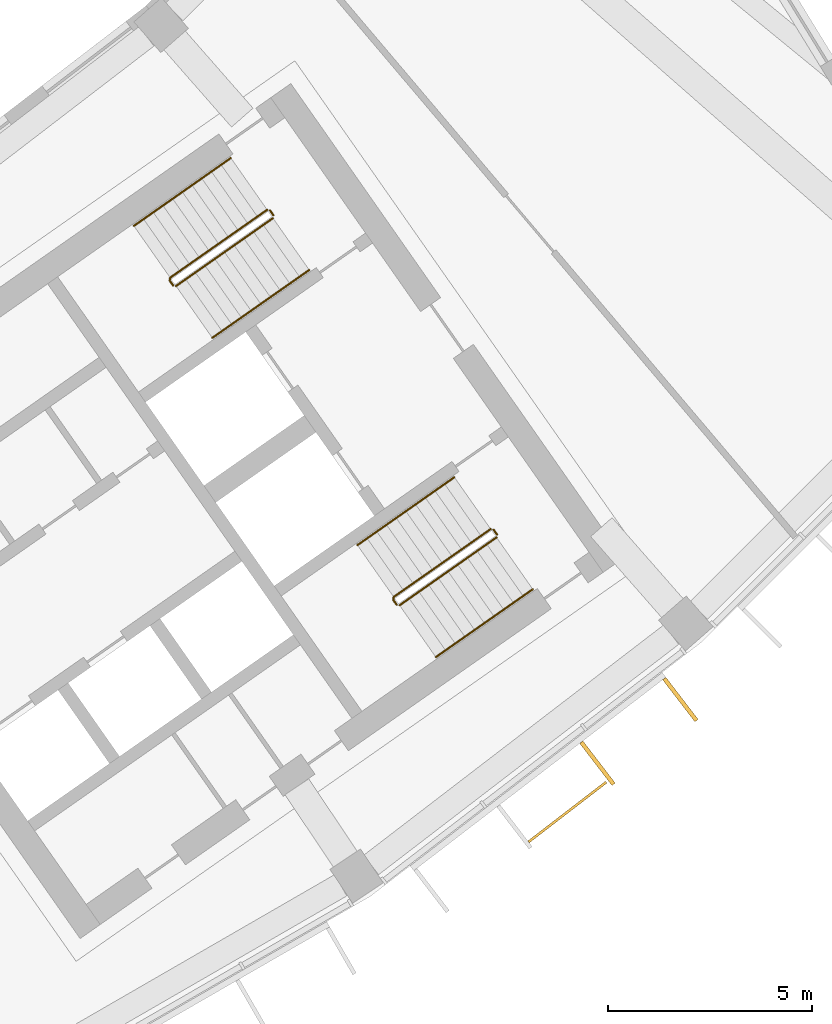
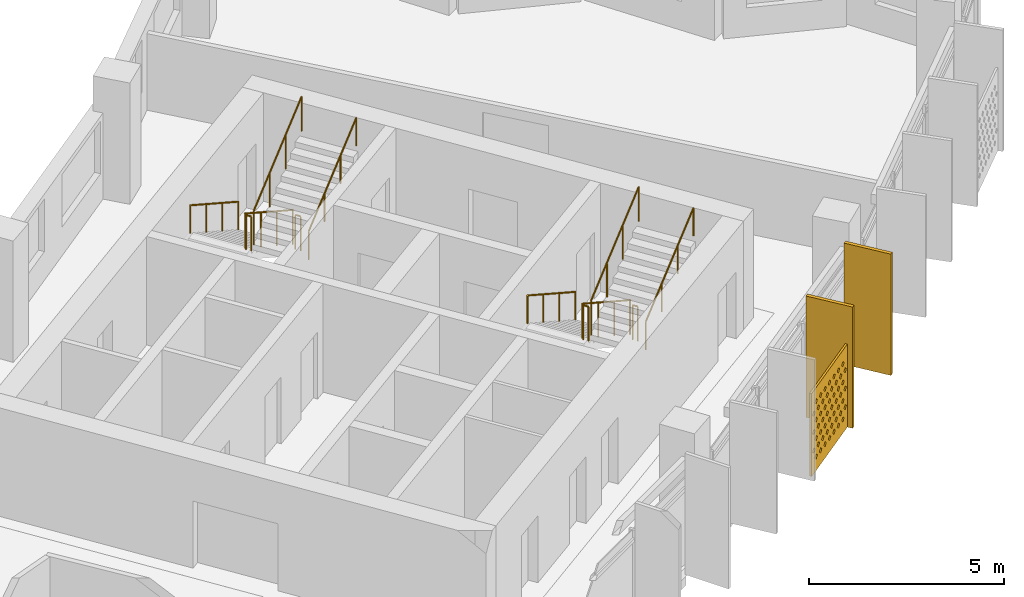
# One storey, part 26 of 27: 10 railings, 3 shading devices.
"""IFC4 building model written with IfcOpenShell, lengths in metres."""

import ifcopenshell
import ifcopenshell.guid

model = None  # the IFC model being written
_history = None  # IfcOwnerHistory: only IFC2X3 demands one
_inside = {}  # id of a spatial element -> (the spatial element, [elements in it])
_under = {}  # id of a project, library or spatial element -> (it, [spatial elements below it])
_declared = {}  # id of a project -> (the project, [libraries it declares])
_typed = {}  # id of a type object -> (the type object, [elements of that type])
_made_of = {}  # id of a material, layer set ... -> (it, [elements and type objects made of it])


def new_model(schema):
    """Start an empty IFC model of exactly this schema.

    Asked for "IFC4X3", IfcOpenShell would pick the latest addendum, in which some entities
    have other attributes; the version numbers below select the first issue.
    IFC2X3 requires an IfcOwnerHistory on every rooted entity: one is made here for all.
    """
    global model, _history
    if schema == "IFC4X3":
        model = ifcopenshell.file(schema_version=(4, 3, 0, 0))
    else:
        model = ifcopenshell.file(schema=schema)
    _inside.clear()
    _under.clear()
    _declared.clear()
    _typed.clear()
    _made_of.clear()
    _history = None
    if model.schema == "IFC2X3":
        org = make("IfcOrganization", Name="unknown")
        user = make(
            "IfcPersonAndOrganization",
            ThePerson=make("IfcPerson", FamilyName="unknown"),
            TheOrganization=org,
        )
        app = make(
            "IfcApplication",
            ApplicationDeveloper=org,
            Version="unknown",
            ApplicationFullName="unknown",
            ApplicationIdentifier="unknown",
        )
        _history = make(
            "IfcOwnerHistory",
            OwningUser=user,
            OwningApplication=app,
            ChangeAction="ADDED",
            CreationDate=0,
        )
    return model


def make(cls, **values):
    """One entity of the class cls with the attributes given. An attribute that is None is left unset."""
    return model.create_entity(
        cls, **{name: value for name, value in values.items() if value is not None}
    )


def rooted(cls, **values):
    """An entity with a GlobalId (a new one), such as an element, a storey or a relation."""
    return make(cls, GlobalId=ifcopenshell.guid.new(), OwnerHistory=_history, **values)


def si_unit(unit_type, name, prefix=None):
    """IfcSIUnit, for example si_unit("LENGTHUNIT", "METRE", prefix="MILLI")."""
    return make("IfcSIUnit", UnitType=unit_type, Prefix=prefix, Name=name)


def assignment(units):
    """IfcUnitAssignment: the units of a project."""
    return None if units is None else make("IfcUnitAssignment", Units=units)


def point(xyz):
    """IfcCartesianPoint."""
    return None if xyz is None else make("IfcCartesianPoint", Coordinates=xyz)


def direction(xyz):
    """IfcDirection."""
    return None if xyz is None else make("IfcDirection", DirectionRatios=xyz)


def frame(location, z_axis=None, x_axis=None):
    """IfcAxis2Placement3D, a coordinate frame: its origin and axes. An axis left out is left unset."""
    return make(
        "IfcAxis2Placement3D",
        Location=point(location),
        Axis=direction(z_axis),
        RefDirection=direction(x_axis),
    )


def frame_2d(location, x_axis=None):
    """IfcAxis2Placement2D, a coordinate frame in the plane: its origin and x axis."""
    return make(
        "IfcAxis2Placement2D", Location=point(location), RefDirection=direction(x_axis)
    )


def origin():
    """The frame at (0, 0, 0) with its axes left unset."""
    return frame((0.0, 0.0, 0.0))


def origin_2d():
    """The frame at (0, 0) in the plane with its x axis left unset."""
    return frame_2d((0.0, 0.0))


def place(relative_to, where):
    """IfcLocalPlacement: puts the frame where relative to a parent placement (None: the world)."""
    return make(
        "IfcLocalPlacement", PlacementRelTo=relative_to, RelativePlacement=where
    )


def context(
    kind, dimensions, precision=None, world=None, true_north=None, identifier=None
):
    """IfcGeometricRepresentationContext, for example the 3D "Model" context."""
    return make(
        "IfcGeometricRepresentationContext",
        ContextIdentifier=identifier,
        ContextType=kind,
        CoordinateSpaceDimension=dimensions,
        Precision=precision,
        WorldCoordinateSystem=world,
        TrueNorth=true_north,
    )


def subcontext(parent, identifier, kind, view, scale=None):
    """IfcGeometricRepresentationSubContext, for example "Body" below "Model"."""
    return make(
        "IfcGeometricRepresentationSubContext",
        ContextIdentifier=identifier,
        ContextType=kind,
        ParentContext=parent,
        TargetScale=scale,
        TargetView=view,
    )


def project(units=None, contexts=None):
    """IfcProject with its units and contexts."""
    return rooted(
        "IfcProject",
        Name="project",
        RepresentationContexts=contexts,
        UnitsInContext=assignment(units),
    )


def spatial(cls, under=None, at=None, **own):
    """A site, building, storey or space (cls), placed at a placement, below another one or the project."""
    s = rooted(cls, ObjectPlacement=at, **own)
    if under is not None:
        _under.setdefault(under.id(), (under, []))[1].append(s)
    return s


def polyline(points):
    """IfcPolyline through the points."""
    return make("IfcPolyline", Points=[point(p) for p in points])


def profile(cls, at=None, kind="AREA", **sizes):
    """A parametric profile (cls). Its sizes go by their IFC names, for example OverallWidth=200.0."""
    return make(cls, ProfileType=kind, Position=at, **sizes)


def rectangle(**sizes):
    """IfcRectangleProfileDef."""
    return profile("IfcRectangleProfileDef", **sizes)


def circle(**sizes):
    """IfcCircleProfileDef."""
    return profile("IfcCircleProfileDef", **sizes)


def outline(outer, holes=None, kind="AREA"):
    """IfcArbitraryClosedProfileDef: a profile drawn as a closed curve; with holes, ...WithVoids."""
    if holes is None:
        return make("IfcArbitraryClosedProfileDef", ProfileType=kind, OuterCurve=outer)
    return make(
        "IfcArbitraryProfileDefWithVoids",
        ProfileType=kind,
        OuterCurve=outer,
        InnerCurves=holes,
    )


def extrude(swept, where, along, depth):
    """IfcExtrudedAreaSolid: the profile swept, set in the frame where, extruded along a direction by depth."""
    return make(
        "IfcExtrudedAreaSolid",
        SweptArea=swept,
        Position=where,
        ExtrudedDirection=direction(along),
        Depth=depth,
    )


def shape(context_of_items, identifier, shape_type, items):
    """IfcShapeRepresentation: the items that make up one representation, for example the "Body"."""
    return make(
        "IfcShapeRepresentation",
        ContextOfItems=context_of_items,
        RepresentationIdentifier=identifier,
        RepresentationType=shape_type,
        Items=items,
    )


def material(Name=None, Category=None):
    """IfcMaterial."""
    return make("IfcMaterial", Name=Name, Category=Category)


def material_profile(
    of_material, cross_section, Name=None, Category=None, Priority=None
):
    """IfcMaterialProfile: a cross section and its material."""
    return make(
        "IfcMaterialProfile",
        Name=Name,
        Material=of_material,
        Profile=cross_section,
        Priority=Priority,
        Category=Category,
    )


def profile_set(profiles, Name=None, composite=None):
    """IfcMaterialProfileSet."""
    return make(
        "IfcMaterialProfileSet",
        Name=Name,
        MaterialProfiles=profiles,
        CompositeProfile=composite,
    )


def made_of(thing, what):
    """Note that an element or type object is made of a material, layer set ...; save() writes the relation."""
    if what is not None:
        _made_of.setdefault(what.id(), (what, []))[1].append(thing)
    return thing


def type_object(cls, material=None, **own):
    """A type object (cls), such as IfcWallType, which elements share."""
    return made_of(rooted(cls, **own), material)


def element(
    cls,
    number,
    at=None,
    inside=None,
    cuts=None,
    type_object=None,
    material=None,
    context=None,
    identifier="Body",
    shape_type=None,
    held_by="IfcProductDefinitionShape",
    body=None,
    shapes=None,
    **own,
):
    """One element of the class cls, such as IfcWall. Its Tag is "e" and its number.

    at: its placement. inside: the storey or other place that contains it. cuts: it is an
    opening in that element (IfcRelVoidsElement). A single representation is given by context,
    identifier, shape_type and body (its items); several are given by shapes. held_by: the class
    of the entity that holds the representations. save() writes the other relations.
    """
    e = rooted(cls, Tag="e%d" % number, ObjectPlacement=at, **own)
    if body is not None:
        shapes = [shape(context, identifier, shape_type, body)]
    if shapes is not None:
        e.Representation = make(held_by, Representations=shapes)
    if inside is not None:
        _inside.setdefault(inside.id(), (inside, []))[1].append(e)
    if cuts is not None:
        rooted(
            "IfcRelVoidsElement", RelatingBuildingElement=cuts, RelatedOpeningElement=e
        )
    if type_object is not None:
        _typed.setdefault(type_object.id(), (type_object, []))[1].append(e)
    return made_of(e, material)


def aggregate(whole, parts):
    """IfcRelAggregates: a whole, such as a stair, and the parts it consists of."""
    return rooted("IfcRelAggregates", RelatingObject=whole, RelatedObjects=parts)


def save(model, path):
    """Write the relations noted so far, then the file.

    IfcRelAggregates (storeys below a building ...), IfcRelContainedInSpatialStructure (elements
    in a storey), IfcRelDefinesByType, IfcRelAssociatesMaterial and IfcRelDeclares: one each for
    every whole, place, type object, material and project.
    """
    for whole, parts in _under.values():
        aggregate(whole, parts)
    for where, things in _inside.values():
        rooted(
            "IfcRelContainedInSpatialStructure",
            RelatedElements=things,
            RelatingStructure=where,
        )
    for kind, things in _typed.values():
        rooted("IfcRelDefinesByType", RelatedObjects=things, RelatingType=kind)
    for what, things in _made_of.values():
        rooted("IfcRelAssociatesMaterial", RelatedObjects=things, RelatingMaterial=what)
    for by, libraries in _declared.values():
        rooted("IfcRelDeclares", RelatingContext=by, RelatedDefinitions=libraries)
    model.write(path)


model = new_model("IFC4")

# Units and contexts
model_context = context("Model", 3, precision=1e-05, world=origin(), true_north=direction((0.0, 1.0)))
body_context = subcontext(model_context, "Body", "Model", "MODEL_VIEW")
ifc_project = project(units=[si_unit("LENGTHUNIT", "METRE"), si_unit("AREAUNIT", "SQUARE_METRE"), si_unit("VOLUMEUNIT", "CUBIC_METRE"), si_unit("PLANEANGLEUNIT", "RADIAN"), si_unit("MASSUNIT", "GRAM", prefix="KILO")], contexts=[model_context])

# Site, building, storey
site_placement = place(None, origin())
site = spatial("IfcSite", under=ifc_project, at=site_placement, CompositionType="ELEMENT")
building_placement = place(site_placement, origin())
building = spatial("IfcBuilding", under=site, at=building_placement, Name="Qamariyya Broadcast Tower", CompositionType="ELEMENT")
storey_placement = place(building_placement, frame((0.0, 0.0, 280.89990234375)))
storey = spatial("IfcBuildingStorey", under=building, at=storey_placement, Name="L68", CompositionType="ELEMENT", Elevation=280.89990234375)

# Shading device
ifc_material_1 = material(Name="Perforated glazed terracotta", Category="masonry")
ifc_material_profile_1 = material_profile(ifc_material_1, outline(polyline([(-1.199951171875, -1.300048828125), (1.199951171875, -1.300048828125), (1.199951171875, 1.300048828125), (-1.199951171875, 1.300048828125), (-1.199951171875, -1.300048828125)]), holes=[polyline([(-0.81494140625, -0.86669921875), (-0.89990234375, -0.78173828125), (-0.985107421875, -0.86669921875), (-0.89990234375, -0.95166015625), (-0.81494140625, -0.86669921875)]), polyline([(-0.514892578125, -0.86669921875), (-0.60009765625, -0.78173828125), (-0.68505859375, -0.86669921875), (-0.60009765625, -0.95166015625), (-0.514892578125, -0.86669921875)]), polyline([(-0.215087890625, -0.86669921875), (-0.300048828125, -0.78173828125), (-0.385009765625, -0.86669921875), (-0.300048828125, -0.95166015625), (-0.215087890625, -0.86669921875)]), polyline([(0.0849609375, -0.86669921875), (0.0, -0.78173828125), (-0.0849609375, -0.86669921875), (0.0, -0.95166015625), (0.0849609375, -0.86669921875)]), polyline([(0.385009765625, -0.86669921875), (0.300048828125, -0.78173828125), (0.215087890625, -0.86669921875), (0.300048828125, -0.95166015625), (0.385009765625, -0.86669921875)]), polyline([(0.68505859375, -0.86669921875), (0.60009765625, -0.78173828125), (0.514892578125, -0.86669921875), (0.60009765625, -0.95166015625), (0.68505859375, -0.86669921875)]), polyline([(0.985107421875, -0.86669921875), (0.89990234375, -0.78173828125), (0.81494140625, -0.86669921875), (0.89990234375, -0.95166015625), (0.985107421875, -0.86669921875)]), polyline([(-0.965087890625, -0.577880859375), (-1.050048828125, -0.49267578125), (-1.135009765625, -0.577880859375), (-1.050048828125, -0.662841796875), (-0.965087890625, -0.577880859375)]), polyline([(-0.6650390625, -0.577880859375), (-0.75, -0.49267578125), (-0.8349609375, -0.577880859375), (-0.75, -0.662841796875), (-0.6650390625, -0.577880859375)]), polyline([(-0.364990234375, -0.577880859375), (-0.449951171875, -0.49267578125), (-0.534912109375, -0.577880859375), (-0.449951171875, -0.662841796875), (-0.364990234375, -0.577880859375)]), polyline([(-0.06494140625, -0.577880859375), (-0.14990234375, -0.49267578125), (-0.235107421875, -0.577880859375), (-0.14990234375, -0.662841796875), (-0.06494140625, -0.577880859375)]), polyline([(0.235107421875, -0.577880859375), (0.14990234375, -0.49267578125), (0.06494140625, -0.577880859375), (0.14990234375, -0.662841796875), (0.235107421875, -0.577880859375)]), polyline([(0.534912109375, -0.577880859375), (0.449951171875, -0.49267578125), (0.364990234375, -0.577880859375), (0.449951171875, -0.662841796875), (0.534912109375, -0.577880859375)]), polyline([(0.8349609375, -0.577880859375), (0.75, -0.49267578125), (0.6650390625, -0.577880859375), (0.75, -0.662841796875), (0.8349609375, -0.577880859375)]), polyline([(1.135009765625, -0.577880859375), (1.050048828125, -0.49267578125), (0.965087890625, -0.577880859375), (1.050048828125, -0.662841796875), (1.135009765625, -0.577880859375)]), polyline([(-0.81494140625, -0.288818359375), (-0.89990234375, -0.203857421875), (-0.985107421875, -0.288818359375), (-0.89990234375, -0.373779296875), (-0.81494140625, -0.288818359375)]), polyline([(-0.514892578125, -0.288818359375), (-0.60009765625, -0.203857421875), (-0.68505859375, -0.288818359375), (-0.60009765625, -0.373779296875), (-0.514892578125, -0.288818359375)]), polyline([(-0.215087890625, -0.288818359375), (-0.300048828125, -0.203857421875), (-0.385009765625, -0.288818359375), (-0.300048828125, -0.373779296875), (-0.215087890625, -0.288818359375)]), polyline([(0.0849609375, -0.288818359375), (0.0, -0.203857421875), (-0.0849609375, -0.288818359375), (0.0, -0.373779296875), (0.0849609375, -0.288818359375)]), polyline([(0.385009765625, -0.288818359375), (0.300048828125, -0.203857421875), (0.215087890625, -0.288818359375), (0.300048828125, -0.373779296875), (0.385009765625, -0.288818359375)]), polyline([(0.68505859375, -0.288818359375), (0.60009765625, -0.203857421875), (0.514892578125, -0.288818359375), (0.60009765625, -0.373779296875), (0.68505859375, -0.288818359375)]), polyline([(0.985107421875, -0.288818359375), (0.89990234375, -0.203857421875), (0.81494140625, -0.288818359375), (0.89990234375, -0.373779296875), (0.985107421875, -0.288818359375)]), polyline([(-0.965087890625, 0.0), (-1.050048828125, 0.0849609375), (-1.135009765625, 0.0), (-1.050048828125, -0.0849609375), (-0.965087890625, 0.0)]), polyline([(-0.6650390625, 0.0), (-0.75, 0.0849609375), (-0.8349609375, 0.0), (-0.75, -0.0849609375), (-0.6650390625, 0.0)]), polyline([(-0.364990234375, 0.0), (-0.449951171875, 0.0849609375), (-0.534912109375, 0.0), (-0.449951171875, -0.0849609375), (-0.364990234375, 0.0)]), polyline([(-0.06494140625, 0.0), (-0.14990234375, 0.0849609375), (-0.235107421875, 0.0), (-0.14990234375, -0.0849609375), (-0.06494140625, 0.0)]), polyline([(0.235107421875, 0.0), (0.14990234375, 0.0849609375), (0.06494140625, 0.0), (0.14990234375, -0.0849609375), (0.235107421875, 0.0)]), polyline([(0.534912109375, 0.0), (0.449951171875, 0.0849609375), (0.364990234375, 0.0), (0.449951171875, -0.0849609375), (0.534912109375, 0.0)]), polyline([(0.8349609375, 0.0), (0.75, 0.0849609375), (0.6650390625, 0.0), (0.75, -0.0849609375), (0.8349609375, 0.0)]), polyline([(1.135009765625, 0.0), (1.050048828125, 0.0849609375), (0.965087890625, 0.0), (1.050048828125, -0.0849609375), (1.135009765625, 0.0)]), polyline([(-0.81494140625, 0.288818359375), (-0.89990234375, 0.373779296875), (-0.985107421875, 0.288818359375), (-0.89990234375, 0.203857421875), (-0.81494140625, 0.288818359375)]), polyline([(-0.514892578125, 0.288818359375), (-0.60009765625, 0.373779296875), (-0.68505859375, 0.288818359375), (-0.60009765625, 0.203857421875), (-0.514892578125, 0.288818359375)]), polyline([(-0.215087890625, 0.288818359375), (-0.300048828125, 0.373779296875), (-0.385009765625, 0.288818359375), (-0.300048828125, 0.203857421875), (-0.215087890625, 0.288818359375)]), polyline([(0.0849609375, 0.288818359375), (0.0, 0.373779296875), (-0.0849609375, 0.288818359375), (0.0, 0.203857421875), (0.0849609375, 0.288818359375)]), polyline([(0.385009765625, 0.288818359375), (0.300048828125, 0.373779296875), (0.215087890625, 0.288818359375), (0.300048828125, 0.203857421875), (0.385009765625, 0.288818359375)]), polyline([(0.68505859375, 0.288818359375), (0.60009765625, 0.373779296875), (0.514892578125, 0.288818359375), (0.60009765625, 0.203857421875), (0.68505859375, 0.288818359375)]), polyline([(0.985107421875, 0.288818359375), (0.89990234375, 0.373779296875), (0.81494140625, 0.288818359375), (0.89990234375, 0.203857421875), (0.985107421875, 0.288818359375)]), polyline([(-0.965087890625, 0.577880859375), (-1.050048828125, 0.662841796875), (-1.135009765625, 0.577880859375), (-1.050048828125, 0.49267578125), (-0.965087890625, 0.577880859375)]), polyline([(-0.6650390625, 0.577880859375), (-0.75, 0.662841796875), (-0.8349609375, 0.577880859375), (-0.75, 0.49267578125), (-0.6650390625, 0.577880859375)]), polyline([(-0.364990234375, 0.577880859375), (-0.449951171875, 0.662841796875), (-0.534912109375, 0.577880859375), (-0.449951171875, 0.49267578125), (-0.364990234375, 0.577880859375)]), polyline([(-0.06494140625, 0.577880859375), (-0.14990234375, 0.662841796875), (-0.235107421875, 0.577880859375), (-0.14990234375, 0.49267578125), (-0.06494140625, 0.577880859375)]), polyline([(0.235107421875, 0.577880859375), (0.14990234375, 0.662841796875), (0.06494140625, 0.577880859375), (0.14990234375, 0.49267578125), (0.235107421875, 0.577880859375)]), polyline([(0.534912109375, 0.577880859375), (0.449951171875, 0.662841796875), (0.364990234375, 0.577880859375), (0.449951171875, 0.49267578125), (0.534912109375, 0.577880859375)]), polyline([(0.8349609375, 0.577880859375), (0.75, 0.662841796875), (0.6650390625, 0.577880859375), (0.75, 0.49267578125), (0.8349609375, 0.577880859375)]), polyline([(1.135009765625, 0.577880859375), (1.050048828125, 0.662841796875), (0.965087890625, 0.577880859375), (1.050048828125, 0.49267578125), (1.135009765625, 0.577880859375)]), polyline([(-0.81494140625, 0.86669921875), (-0.89990234375, 0.95166015625), (-0.985107421875, 0.86669921875), (-0.89990234375, 0.78173828125), (-0.81494140625, 0.86669921875)]), polyline([(-0.514892578125, 0.86669921875), (-0.60009765625, 0.95166015625), (-0.68505859375, 0.86669921875), (-0.60009765625, 0.78173828125), (-0.514892578125, 0.86669921875)]), polyline([(-0.215087890625, 0.86669921875), (-0.300048828125, 0.95166015625), (-0.385009765625, 0.86669921875), (-0.300048828125, 0.78173828125), (-0.215087890625, 0.86669921875)]), polyline([(0.0849609375, 0.86669921875), (0.0, 0.95166015625), (-0.0849609375, 0.86669921875), (0.0, 0.78173828125), (0.0849609375, 0.86669921875)]), polyline([(0.385009765625, 0.86669921875), (0.300048828125, 0.95166015625), (0.215087890625, 0.86669921875), (0.300048828125, 0.78173828125), (0.385009765625, 0.86669921875)]), polyline([(0.68505859375, 0.86669921875), (0.60009765625, 0.95166015625), (0.514892578125, 0.86669921875), (0.60009765625, 0.78173828125), (0.68505859375, 0.86669921875)]), polyline([(0.985107421875, 0.86669921875), (0.89990234375, 0.95166015625), (0.81494140625, 0.86669921875), (0.89990234375, 0.78173828125), (0.985107421875, 0.86669921875)])]))
ifc_profile_set_1 = profile_set([ifc_material_profile_1], Name="Perforated glazed terracotta")
shading_device_type_1 = type_object("IfcShadingDeviceType", Name="Perforated terracotta screen 2400 x 2600", PredefinedType="USERDEFINED", material=ifc_profile_set_1)
shading_device_placement = place(storey_placement, frame((48.3427734375, -63.052734375, 1.35009765625), z_axis=(0.60971076085, -0.792623989105, 0.0), x_axis=(0.792623989105, 0.60971076085, 0.0)))
element("IfcShadingDevice", 1, at=shading_device_placement, inside=storey, type_object=shading_device_type_1, Name="e-scr-L68-12-1", ObjectType="SCREEN", PredefinedType="USERDEFINED", context=body_context, shape_type="SweptSolid", body=[
    extrude(outline(polyline([(-1.199951171875, -1.300048828125), (1.199951171875, -1.300048828125), (1.199951171875, 1.300048828125), (-1.199951171875, 1.300048828125), (-1.199951171875, -1.300048828125)]), holes=[polyline([(-0.81494140625, -0.86669921875), (-0.89990234375, -0.78173828125), (-0.985107421875, -0.86669921875), (-0.89990234375, -0.95166015625), (-0.81494140625, -0.86669921875)]), polyline([(-0.514892578125, -0.86669921875), (-0.60009765625, -0.78173828125), (-0.68505859375, -0.86669921875), (-0.60009765625, -0.95166015625), (-0.514892578125, -0.86669921875)]), polyline([(-0.215087890625, -0.86669921875), (-0.300048828125, -0.78173828125), (-0.385009765625, -0.86669921875), (-0.300048828125, -0.95166015625), (-0.215087890625, -0.86669921875)]), polyline([(0.0849609375, -0.86669921875), (0.0, -0.78173828125), (-0.0849609375, -0.86669921875), (0.0, -0.95166015625), (0.0849609375, -0.86669921875)]), polyline([(0.385009765625, -0.86669921875), (0.300048828125, -0.78173828125), (0.215087890625, -0.86669921875), (0.300048828125, -0.95166015625), (0.385009765625, -0.86669921875)]), polyline([(0.68505859375, -0.86669921875), (0.60009765625, -0.78173828125), (0.514892578125, -0.86669921875), (0.60009765625, -0.95166015625), (0.68505859375, -0.86669921875)]), polyline([(0.985107421875, -0.86669921875), (0.89990234375, -0.78173828125), (0.81494140625, -0.86669921875), (0.89990234375, -0.95166015625), (0.985107421875, -0.86669921875)]), polyline([(-0.965087890625, -0.577880859375), (-1.050048828125, -0.49267578125), (-1.135009765625, -0.577880859375), (-1.050048828125, -0.662841796875), (-0.965087890625, -0.577880859375)]), polyline([(-0.6650390625, -0.577880859375), (-0.75, -0.49267578125), (-0.8349609375, -0.577880859375), (-0.75, -0.662841796875), (-0.6650390625, -0.577880859375)]), polyline([(-0.364990234375, -0.577880859375), (-0.449951171875, -0.49267578125), (-0.534912109375, -0.577880859375), (-0.449951171875, -0.662841796875), (-0.364990234375, -0.577880859375)]), polyline([(-0.06494140625, -0.577880859375), (-0.14990234375, -0.49267578125), (-0.235107421875, -0.577880859375), (-0.14990234375, -0.662841796875), (-0.06494140625, -0.577880859375)]), polyline([(0.235107421875, -0.577880859375), (0.14990234375, -0.49267578125), (0.06494140625, -0.577880859375), (0.14990234375, -0.662841796875), (0.235107421875, -0.577880859375)]), polyline([(0.534912109375, -0.577880859375), (0.449951171875, -0.49267578125), (0.364990234375, -0.577880859375), (0.449951171875, -0.662841796875), (0.534912109375, -0.577880859375)]), polyline([(0.8349609375, -0.577880859375), (0.75, -0.49267578125), (0.6650390625, -0.577880859375), (0.75, -0.662841796875), (0.8349609375, -0.577880859375)]), polyline([(1.135009765625, -0.577880859375), (1.050048828125, -0.49267578125), (0.965087890625, -0.577880859375), (1.050048828125, -0.662841796875), (1.135009765625, -0.577880859375)]), polyline([(-0.81494140625, -0.288818359375), (-0.89990234375, -0.203857421875), (-0.985107421875, -0.288818359375), (-0.89990234375, -0.373779296875), (-0.81494140625, -0.288818359375)]), polyline([(-0.514892578125, -0.288818359375), (-0.60009765625, -0.203857421875), (-0.68505859375, -0.288818359375), (-0.60009765625, -0.373779296875), (-0.514892578125, -0.288818359375)]), polyline([(-0.215087890625, -0.288818359375), (-0.300048828125, -0.203857421875), (-0.385009765625, -0.288818359375), (-0.300048828125, -0.373779296875), (-0.215087890625, -0.288818359375)]), polyline([(0.0849609375, -0.288818359375), (0.0, -0.203857421875), (-0.0849609375, -0.288818359375), (0.0, -0.373779296875), (0.0849609375, -0.288818359375)]), polyline([(0.385009765625, -0.288818359375), (0.300048828125, -0.203857421875), (0.215087890625, -0.288818359375), (0.300048828125, -0.373779296875), (0.385009765625, -0.288818359375)]), polyline([(0.68505859375, -0.288818359375), (0.60009765625, -0.203857421875), (0.514892578125, -0.288818359375), (0.60009765625, -0.373779296875), (0.68505859375, -0.288818359375)]), polyline([(0.985107421875, -0.288818359375), (0.89990234375, -0.203857421875), (0.81494140625, -0.288818359375), (0.89990234375, -0.373779296875), (0.985107421875, -0.288818359375)]), polyline([(-0.965087890625, 0.0), (-1.050048828125, 0.0849609375), (-1.135009765625, 0.0), (-1.050048828125, -0.0849609375), (-0.965087890625, 0.0)]), polyline([(-0.6650390625, 0.0), (-0.75, 0.0849609375), (-0.8349609375, 0.0), (-0.75, -0.0849609375), (-0.6650390625, 0.0)]), polyline([(-0.364990234375, 0.0), (-0.449951171875, 0.0849609375), (-0.534912109375, 0.0), (-0.449951171875, -0.0849609375), (-0.364990234375, 0.0)]), polyline([(-0.06494140625, 0.0), (-0.14990234375, 0.0849609375), (-0.235107421875, 0.0), (-0.14990234375, -0.0849609375), (-0.06494140625, 0.0)]), polyline([(0.235107421875, 0.0), (0.14990234375, 0.0849609375), (0.06494140625, 0.0), (0.14990234375, -0.0849609375), (0.235107421875, 0.0)]), polyline([(0.534912109375, 0.0), (0.449951171875, 0.0849609375), (0.364990234375, 0.0), (0.449951171875, -0.0849609375), (0.534912109375, 0.0)]), polyline([(0.8349609375, 0.0), (0.75, 0.0849609375), (0.6650390625, 0.0), (0.75, -0.0849609375), (0.8349609375, 0.0)]), polyline([(1.135009765625, 0.0), (1.050048828125, 0.0849609375), (0.965087890625, 0.0), (1.050048828125, -0.0849609375), (1.135009765625, 0.0)]), polyline([(-0.81494140625, 0.288818359375), (-0.89990234375, 0.373779296875), (-0.985107421875, 0.288818359375), (-0.89990234375, 0.203857421875), (-0.81494140625, 0.288818359375)]), polyline([(-0.514892578125, 0.288818359375), (-0.60009765625, 0.373779296875), (-0.68505859375, 0.288818359375), (-0.60009765625, 0.203857421875), (-0.514892578125, 0.288818359375)]), polyline([(-0.215087890625, 0.288818359375), (-0.300048828125, 0.373779296875), (-0.385009765625, 0.288818359375), (-0.300048828125, 0.203857421875), (-0.215087890625, 0.288818359375)]), polyline([(0.0849609375, 0.288818359375), (0.0, 0.373779296875), (-0.0849609375, 0.288818359375), (0.0, 0.203857421875), (0.0849609375, 0.288818359375)]), polyline([(0.385009765625, 0.288818359375), (0.300048828125, 0.373779296875), (0.215087890625, 0.288818359375), (0.300048828125, 0.203857421875), (0.385009765625, 0.288818359375)]), polyline([(0.68505859375, 0.288818359375), (0.60009765625, 0.373779296875), (0.514892578125, 0.288818359375), (0.60009765625, 0.203857421875), (0.68505859375, 0.288818359375)]), polyline([(0.985107421875, 0.288818359375), (0.89990234375, 0.373779296875), (0.81494140625, 0.288818359375), (0.89990234375, 0.203857421875), (0.985107421875, 0.288818359375)]), polyline([(-0.965087890625, 0.577880859375), (-1.050048828125, 0.662841796875), (-1.135009765625, 0.577880859375), (-1.050048828125, 0.49267578125), (-0.965087890625, 0.577880859375)]), polyline([(-0.6650390625, 0.577880859375), (-0.75, 0.662841796875), (-0.8349609375, 0.577880859375), (-0.75, 0.49267578125), (-0.6650390625, 0.577880859375)]), polyline([(-0.364990234375, 0.577880859375), (-0.449951171875, 0.662841796875), (-0.534912109375, 0.577880859375), (-0.449951171875, 0.49267578125), (-0.364990234375, 0.577880859375)]), polyline([(-0.06494140625, 0.577880859375), (-0.14990234375, 0.662841796875), (-0.235107421875, 0.577880859375), (-0.14990234375, 0.49267578125), (-0.06494140625, 0.577880859375)]), polyline([(0.235107421875, 0.577880859375), (0.14990234375, 0.662841796875), (0.06494140625, 0.577880859375), (0.14990234375, 0.49267578125), (0.235107421875, 0.577880859375)]), polyline([(0.534912109375, 0.577880859375), (0.449951171875, 0.662841796875), (0.364990234375, 0.577880859375), (0.449951171875, 0.49267578125), (0.534912109375, 0.577880859375)]), polyline([(0.8349609375, 0.577880859375), (0.75, 0.662841796875), (0.6650390625, 0.577880859375), (0.75, 0.49267578125), (0.8349609375, 0.577880859375)]), polyline([(1.135009765625, 0.577880859375), (1.050048828125, 0.662841796875), (0.965087890625, 0.577880859375), (1.050048828125, 0.49267578125), (1.135009765625, 0.577880859375)]), polyline([(-0.81494140625, 0.86669921875), (-0.89990234375, 0.95166015625), (-0.985107421875, 0.86669921875), (-0.89990234375, 0.78173828125), (-0.81494140625, 0.86669921875)]), polyline([(-0.514892578125, 0.86669921875), (-0.60009765625, 0.95166015625), (-0.68505859375, 0.86669921875), (-0.60009765625, 0.78173828125), (-0.514892578125, 0.86669921875)]), polyline([(-0.215087890625, 0.86669921875), (-0.300048828125, 0.95166015625), (-0.385009765625, 0.86669921875), (-0.300048828125, 0.78173828125), (-0.215087890625, 0.86669921875)]), polyline([(0.0849609375, 0.86669921875), (0.0, 0.95166015625), (-0.0849609375, 0.86669921875), (0.0, 0.78173828125), (0.0849609375, 0.86669921875)]), polyline([(0.385009765625, 0.86669921875), (0.300048828125, 0.95166015625), (0.215087890625, 0.86669921875), (0.300048828125, 0.78173828125), (0.385009765625, 0.86669921875)]), polyline([(0.68505859375, 0.86669921875), (0.60009765625, 0.95166015625), (0.514892578125, 0.86669921875), (0.60009765625, 0.78173828125), (0.68505859375, 0.86669921875)]), polyline([(0.985107421875, 0.86669921875), (0.89990234375, 0.95166015625), (0.81494140625, 0.86669921875), (0.89990234375, 0.78173828125), (0.985107421875, 0.86669921875)])]), origin(), (0.0, 0.0, 1.0), 0.06005859375),
])

# Railings
ifc_material_2 = material(Name="Painted steel", Category="steel")
railing_type_1 = type_object("IfcRailingType", Name="Stair guard", PredefinedType="GUARDRAIL", material=ifc_material_2)
railing_1_placement = place(storey_placement, frame((41.003173828125, -48.320068359375, 0.1728515625)))
element("IfcRailing", 2, at=railing_1_placement, inside=storey, type_object=railing_type_1, Name="L68 ST-E2 stair guard 1", PredefinedType="GUARDRAIL", context=body_context, shape_type="SweptSolid", body=[
    extrude(circle(Radius=0.02392578125, at=origin_2d()), frame((0.0, 0.0, 1.076171875), z_axis=(-0.703770094002, -0.492783725636, 0.511734163933), x_axis=(0.573575343427, -0.819152809562, 0.0)), (0.0, 0.0, 1.0), 3.37548828125),
    extrude(circle(Radius=0.02392578125, at=origin_2d()), frame((-2.37548828125, -1.663330078125, 2.80322265625), z_axis=(-0.172799478008, -0.984957024646, 0.0), x_axis=(0.984957024646, -0.172799478008, 0.0)), (0.0, 0.0, 1.0), 0.070556640625),
    extrude(circle(Radius=0.02392578125, at=origin_2d()), frame((-2.3876953125, -1.73291015625, 2.80322265625), z_axis=(0.572588637393, -0.819842821722, 0.0), x_axis=(0.819842821722, 0.572588637393, 0.0)), (0.0, 0.0, 1.0), 0.150146484375),
    extrude(circle(Radius=0.02099609375, at=origin_2d()), origin(), (0.0, 0.0, 1.0), 1.052001953125),
    extrude(circle(Radius=0.02099609375, at=origin_2d()), frame((-0.791748046875, -0.554443359375, 0.57568359375)), (0.0, 0.0, 1.0), 1.052001953125),
    extrude(circle(Radius=0.02099609375, at=origin_2d()), frame((-1.583740234375, -1.10888671875, 1.151611328125)), (0.0, 0.0, 1.0), 1.052001953125),
    extrude(circle(Radius=0.02099609375, at=origin_2d()), frame((-2.37548828125, -1.663330078125, 1.727294921875)), (0.0, 0.0, 1.0), 1.052001953125),
    extrude(circle(Radius=0.02099609375, at=origin_2d()), frame((-2.3876953125, -1.73291015625, 1.727294921875)), (0.0, 0.0, 1.0), 1.052001953125),
    extrude(circle(Radius=0.02099609375, at=origin_2d()), frame((-2.3017578125, -1.85595703125, 1.727294921875)), (0.0, 0.0, 1.0), 1.052001953125),
])
railing_2_placement = place(storey_placement, frame((38.771240234375, -50.188232421875, 2.07275390625)))
element("IfcRailing", 3, at=railing_2_placement, inside=storey, type_object=railing_type_1, Name="L68 ST-E2 stair guard 2", PredefinedType="GUARDRAIL", context=body_context, shape_type="SweptSolid", body=[
    extrude(circle(Radius=0.02392578125, at=origin_2d()), frame((0.0, 0.0, 1.076171875), z_axis=(0.703770094002, 0.492783725636, 0.511734163933), x_axis=(-0.573575343427, 0.819152809562, 0.0)), (0.0, 0.0, 1.0), 3.37548828125),
    extrude(circle(Radius=0.02099609375, at=origin_2d()), origin(), (0.0, 0.0, 1.0), 1.052001953125),
    extrude(circle(Radius=0.02099609375, at=origin_2d()), frame((0.791748046875, 0.554443359375, 0.57568359375)), (0.0, 0.0, 1.0), 1.052001953125),
    extrude(circle(Radius=0.02099609375, at=origin_2d()), frame((1.583740234375, 1.10888671875, 1.151611328125)), (0.0, 0.0, 1.0), 1.052001953125),
    extrude(circle(Radius=0.02099609375, at=origin_2d()), frame((2.37548828125, 1.663330078125, 1.727294921875)), (0.0, 0.0, 1.0), 1.052001953125),
])
railing_3_placement = place(storey_placement, frame((41.072998046875, -48.332275390625, 0.0)))
element("IfcRailing", 4, at=railing_3_placement, inside=storey, type_object=railing_type_1, Name="L68 ST-E2 stair guard 3", PredefinedType="GUARDRAIL", context=body_context, shape_type="SweptSolid", body=[
    extrude(circle(Radius=0.02392578125, at=origin_2d()), frame((0.0, 0.0, 1.076171875), z_axis=(0.572588637393, -0.819842821722, 0.0), x_axis=(0.819842821722, 0.572588637393, 0.0)), (0.0, 0.0, 1.0), 0.150146484375),
    extrude(circle(Radius=0.02099609375, at=origin_2d()), origin(), (0.0, 0.0, 1.0), 1.052001953125),
    extrude(circle(Radius=0.02099609375, at=origin_2d()), frame((0.0859375, -0.123046875, 0.0)), (0.0, 0.0, 1.0), 1.052001953125),
])
railing_4_placement = place(storey_placement, frame((46.48095703125, -56.14306640625, 0.1728515625)))
element("IfcRailing", 5, at=railing_4_placement, inside=storey, type_object=railing_type_1, Name="L68 ST-E1 stair guard 1", PredefinedType="GUARDRAIL", context=body_context, shape_type="SweptSolid", body=[
    extrude(circle(Radius=0.02392578125, at=origin_2d()), frame((0.0, 0.0, 1.076171875), z_axis=(-0.703770094002, -0.492783725636, 0.511734163933), x_axis=(0.573575343427, -0.819152809562, 0.0)), (0.0, 0.0, 1.0), 3.37548828125),
    extrude(circle(Radius=0.02392578125, at=origin_2d()), frame((-2.37548828125, -1.663330078125, 2.80322265625), z_axis=(-0.176149252506, -0.984363469884, 0.0), x_axis=(0.984363469884, -0.176149252506, 0.0)), (0.0, 0.0, 1.0), 0.07080078125),
    extrude(circle(Radius=0.02392578125, at=origin_2d()), frame((-2.387939453125, -1.73291015625, 2.80322265625), z_axis=(0.574444878118, -0.818543268254, 0.0), x_axis=(0.818543268254, 0.574444878118, 0.0)), (0.0, 0.0, 1.0), 0.150146484375),
    extrude(circle(Radius=0.02099609375, at=origin_2d()), origin(), (0.0, 0.0, 1.0), 1.052001953125),
    extrude(circle(Radius=0.02099609375, at=origin_2d()), frame((-0.791748046875, -0.554443359375, 0.57568359375)), (0.0, 0.0, 1.0), 1.052001953125),
    extrude(circle(Radius=0.02099609375, at=origin_2d()), frame((-1.583740234375, -1.10888671875, 1.151611328125)), (0.0, 0.0, 1.0), 1.052001953125),
    extrude(circle(Radius=0.02099609375, at=origin_2d()), frame((-2.37548828125, -1.663330078125, 1.727294921875)), (0.0, 0.0, 1.0), 1.052001953125),
    extrude(circle(Radius=0.02099609375, at=origin_2d()), frame((-2.387939453125, -1.73291015625, 1.727294921875)), (0.0, 0.0, 1.0), 1.052001953125),
    extrude(circle(Radius=0.02099609375, at=origin_2d()), frame((-2.3017578125, -1.855712890625, 1.727294921875)), (0.0, 0.0, 1.0), 1.052001953125),
])
railing_5_placement = place(storey_placement, frame((44.248779296875, -58.01123046875, 2.07275390625)))
element("IfcRailing", 6, at=railing_5_placement, inside=storey, type_object=railing_type_1, Name="L68 ST-E1 stair guard 2", PredefinedType="GUARDRAIL", context=body_context, shape_type="SweptSolid", body=[
    extrude(circle(Radius=0.02392578125, at=origin_2d()), frame((0.0, 0.0, 1.076171875), z_axis=(0.703745009021, 0.492838488332, 0.511715923826), x_axis=(-0.573631830683, 0.819113253969, 0.0)), (0.0, 0.0, 1.0), 3.37548828125),
    extrude(circle(Radius=0.02099609375, at=origin_2d()), origin(), (0.0, 0.0, 1.0), 1.052001953125),
    extrude(circle(Radius=0.02099609375, at=origin_2d()), frame((0.791748046875, 0.554443359375, 0.57568359375)), (0.0, 0.0, 1.0), 1.052001953125),
    extrude(circle(Radius=0.02099609375, at=origin_2d()), frame((1.583740234375, 1.109130859375, 1.151611328125)), (0.0, 0.0, 1.0), 1.052001953125),
    extrude(circle(Radius=0.02099609375, at=origin_2d()), frame((2.37548828125, 1.66357421875, 1.727294921875)), (0.0, 0.0, 1.0), 1.052001953125),
])
railing_6_placement = place(storey_placement, frame((46.550537109375, -56.1552734375, 0.0)))
element("IfcRailing", 7, at=railing_6_placement, inside=storey, type_object=railing_type_1, Name="L68 ST-E1 stair guard 3", PredefinedType="GUARDRAIL", context=body_context, shape_type="SweptSolid", body=[
    extrude(circle(Radius=0.02392578125, at=origin_2d()), frame((0.0, 0.0, 1.076171875), z_axis=(0.574444878118, -0.818543268254, 0.0), x_axis=(0.818543268254, 0.574444878118, 0.0)), (0.0, 0.0, 1.0), 0.150146484375),
    extrude(circle(Radius=0.02099609375, at=origin_2d()), origin(), (0.0, 0.0, 1.0), 1.052001953125),
    extrude(circle(Radius=0.02099609375, at=origin_2d()), frame((0.086181640625, -0.122802734375, 0.0)), (0.0, 0.0, 1.0), 1.052001953125),
])
ifc_material_3 = material(Name="Stainless steel", Category="steel")
railing_type_2 = type_object("IfcRailingType", Name="Stair handrail", PredefinedType="HANDRAIL", material=ifc_material_3)
railing_7_placement = place(storey_placement, frame((40.1142578125, -47.05029296875, 0.1728515625)))
element("IfcRailing", 8, at=railing_7_placement, inside=storey, type_object=railing_type_2, Name="L68 ST-E2 stair handrail 1", PredefinedType="HANDRAIL", context=body_context, shape_type="SweptSolid", body=[
    extrude(circle(Radius=0.02392578125, at=origin_2d()), frame((0.0, 0.0, 0.8759765625), z_axis=(-0.703745009021, -0.492838488332, 0.511715923826), x_axis=(0.573631830683, -0.819113253969, 0.0)), (0.0, 0.0, 1.0), 3.37548828125),
    extrude(circle(Radius=0.02099609375, at=origin_2d()), origin(), (0.0, 0.0, 1.0), 0.851806640625),
    extrude(circle(Radius=0.02099609375, at=origin_2d()), frame((-0.791748046875, -0.554443359375, 0.57568359375)), (0.0, 0.0, 1.0), 0.851806640625),
    extrude(circle(Radius=0.02099609375, at=origin_2d()), frame((-1.583740234375, -1.109130859375, 1.151611328125)), (0.0, 0.0, 1.0), 0.851806640625),
    extrude(circle(Radius=0.02099609375, at=origin_2d()), frame((-2.37548828125, -1.66357421875, 1.727294921875)), (0.0, 0.0, 1.0), 0.851806640625),
])
railing_8_placement = place(storey_placement, frame((39.66015625, -51.4580078125, 2.07275390625)))
element("IfcRailing", 9, at=railing_8_placement, inside=storey, type_object=railing_type_2, Name="L68 ST-E2 stair handrail 2", PredefinedType="HANDRAIL", context=body_context, shape_type="SweptSolid", body=[
    extrude(circle(Radius=0.02392578125, at=origin_2d()), frame((0.0, 0.0, 0.8759765625), z_axis=(0.703745009021, 0.492838488332, 0.511715923826), x_axis=(-0.573631830683, 0.819113253969, 0.0)), (0.0, 0.0, 1.0), 3.37548828125),
    extrude(circle(Radius=0.02099609375, at=origin_2d()), origin(), (0.0, 0.0, 1.0), 0.851806640625),
    extrude(circle(Radius=0.02099609375, at=origin_2d()), frame((0.791748046875, 0.554443359375, 0.57568359375)), (0.0, 0.0, 1.0), 0.851806640625),
    extrude(circle(Radius=0.02099609375, at=origin_2d()), frame((1.583740234375, 1.109130859375, 1.151611328125)), (0.0, 0.0, 1.0), 0.851806640625),
    extrude(circle(Radius=0.02099609375, at=origin_2d()), frame((2.37548828125, 1.66357421875, 1.727294921875)), (0.0, 0.0, 1.0), 0.851806640625),
])
railing_9_placement = place(storey_placement, frame((45.591796875, -54.873291015625, 0.1728515625)))
element("IfcRailing", 10, at=railing_9_placement, inside=storey, type_object=railing_type_2, Name="L68 ST-E1 stair handrail 1", PredefinedType="HANDRAIL", context=body_context, shape_type="SweptSolid", body=[
    extrude(circle(Radius=0.02392578125, at=origin_2d()), frame((0.0, 0.0, 0.8759765625), z_axis=(-0.703770094002, -0.492783725636, 0.511734163933), x_axis=(0.573575343427, -0.819152809562, 0.0)), (0.0, 0.0, 1.0), 3.37548828125),
    extrude(circle(Radius=0.02099609375, at=origin_2d()), origin(), (0.0, 0.0, 1.0), 0.851806640625),
    extrude(circle(Radius=0.02099609375, at=origin_2d()), frame((-0.791748046875, -0.554443359375, 0.57568359375)), (0.0, 0.0, 1.0), 0.851806640625),
    extrude(circle(Radius=0.02099609375, at=origin_2d()), frame((-1.583740234375, -1.10888671875, 1.151611328125)), (0.0, 0.0, 1.0), 0.851806640625),
    extrude(circle(Radius=0.02099609375, at=origin_2d()), frame((-2.37548828125, -1.663330078125, 1.727294921875)), (0.0, 0.0, 1.0), 0.851806640625),
])
railing_10_placement = place(storey_placement, frame((45.137939453125, -59.28076171875, 2.07275390625)))
element("IfcRailing", 11, at=railing_10_placement, inside=storey, type_object=railing_type_2, Name="L68 ST-E1 stair handrail 2", PredefinedType="HANDRAIL", context=body_context, shape_type="SweptSolid", body=[
    extrude(circle(Radius=0.02392578125, at=origin_2d()), frame((0.0, 0.0, 0.8759765625), z_axis=(0.703770094002, 0.492783725636, 0.511734163933), x_axis=(-0.573575343427, 0.819152809562, 0.0)), (0.0, 0.0, 1.0), 3.37548828125),
    extrude(circle(Radius=0.02099609375, at=origin_2d()), origin(), (0.0, 0.0, 1.0), 0.851806640625),
    extrude(circle(Radius=0.02099609375, at=origin_2d()), frame((0.791748046875, 0.554443359375, 0.57568359375)), (0.0, 0.0, 1.0), 0.851806640625),
    extrude(circle(Radius=0.02099609375, at=origin_2d()), frame((1.583740234375, 1.10888671875, 1.151611328125)), (0.0, 0.0, 1.0), 0.851806640625),
    extrude(circle(Radius=0.02099609375, at=origin_2d()), frame((2.37548828125, 1.663330078125, 1.727294921875)), (0.0, 0.0, 1.0), 0.851806640625),
])

# Shading devices
ifc_material_4 = material(Name="Glazed terracotta", Category="masonry")
ifc_material_profile_2 = material_profile(ifc_material_4, rectangle(XDim=1.300048828125, YDim=0.10009765625, at=origin_2d()))
ifc_profile_set_2 = profile_set([ifc_material_profile_2], Name="Glazed terracotta")
shading_device_type_2 = type_object("IfcShadingDeviceType", Name="Terracotta fin 100 x 1300", PredefinedType="USERDEFINED", material=ifc_profile_set_2)
for number, where, z_axis, x_axis, name in (
    (12, (49.09765625, -61.880859375, 0.0), (0.0, 0.0, 1.0), (0.608761429009, -0.793353340291, 0.0), "e-fin-L68-12-2"),
    (13, (51.13037109375, -60.3212890625, 0.0), (0.0, 0.0, 1.0), (0.608761429009, -0.793353340291, 0.0), "e-fin-L68-12-3"),
):
    element("IfcShadingDevice", number, at=place(storey_placement, frame(where, z_axis=z_axis, x_axis=x_axis)), inside=storey, type_object=shading_device_type_2, Name=name, ObjectType="FIN", PredefinedType="USERDEFINED", context=body_context, shape_type="SweptSolid", body=[
        extrude(rectangle(XDim=1.300048828125, YDim=0.10009765625, at=origin_2d()), origin(), (0.0, 0.0, 1.0), 3.800048828125),
    ])

save(model, "model.ifc")
